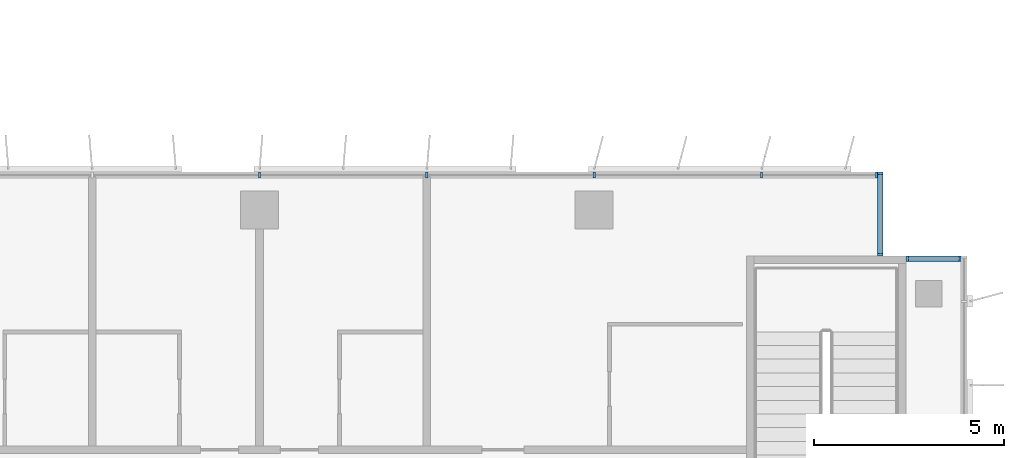
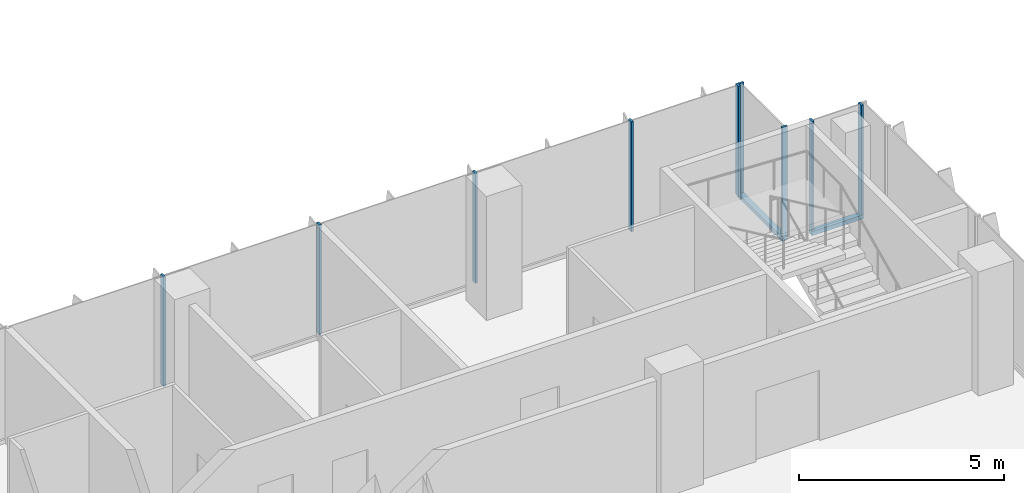
# One storey, part 4 of 21: 11 members, 3 elements without a shape of their own.
"""IFC4 building model written with IfcOpenShell, lengths in metres."""

import ifcopenshell
import ifcopenshell.guid

model = None  # the IFC model being written
_history = None  # IfcOwnerHistory: only IFC2X3 demands one
_inside = {}  # id of a spatial element -> (the spatial element, [elements in it])
_under = {}  # id of a project, library or spatial element -> (it, [spatial elements below it])
_declared = {}  # id of a project -> (the project, [libraries it declares])
_typed = {}  # id of a type object -> (the type object, [elements of that type])
_made_of = {}  # id of a material, layer set ... -> (it, [elements and type objects made of it])


def new_model(schema):
    """Start an empty IFC model of exactly this schema.

    Asked for "IFC4X3", IfcOpenShell would pick the latest addendum, in which some entities
    have other attributes; the version numbers below select the first issue.
    IFC2X3 requires an IfcOwnerHistory on every rooted entity: one is made here for all.
    """
    global model, _history
    if schema == "IFC4X3":
        model = ifcopenshell.file(schema_version=(4, 3, 0, 0))
    else:
        model = ifcopenshell.file(schema=schema)
    _inside.clear()
    _under.clear()
    _declared.clear()
    _typed.clear()
    _made_of.clear()
    _history = None
    if model.schema == "IFC2X3":
        org = make("IfcOrganization", Name="unknown")
        user = make(
            "IfcPersonAndOrganization",
            ThePerson=make("IfcPerson", FamilyName="unknown"),
            TheOrganization=org,
        )
        app = make(
            "IfcApplication",
            ApplicationDeveloper=org,
            Version="unknown",
            ApplicationFullName="unknown",
            ApplicationIdentifier="unknown",
        )
        _history = make(
            "IfcOwnerHistory",
            OwningUser=user,
            OwningApplication=app,
            ChangeAction="ADDED",
            CreationDate=0,
        )
    return model


def make(cls, **values):
    """One entity of the class cls with the attributes given. An attribute that is None is left unset."""
    return model.create_entity(
        cls, **{name: value for name, value in values.items() if value is not None}
    )


def rooted(cls, **values):
    """An entity with a GlobalId (a new one), such as an element, a storey or a relation."""
    return make(cls, GlobalId=ifcopenshell.guid.new(), OwnerHistory=_history, **values)


def si_unit(unit_type, name, prefix=None):
    """IfcSIUnit, for example si_unit("LENGTHUNIT", "METRE", prefix="MILLI")."""
    return make("IfcSIUnit", UnitType=unit_type, Prefix=prefix, Name=name)


def assignment(units):
    """IfcUnitAssignment: the units of a project."""
    return None if units is None else make("IfcUnitAssignment", Units=units)


def point(xyz):
    """IfcCartesianPoint."""
    return None if xyz is None else make("IfcCartesianPoint", Coordinates=xyz)


def direction(xyz):
    """IfcDirection."""
    return None if xyz is None else make("IfcDirection", DirectionRatios=xyz)


def frame(location, z_axis=None, x_axis=None):
    """IfcAxis2Placement3D, a coordinate frame: its origin and axes. An axis left out is left unset."""
    return make(
        "IfcAxis2Placement3D",
        Location=point(location),
        Axis=direction(z_axis),
        RefDirection=direction(x_axis),
    )


def frame_2d(location, x_axis=None):
    """IfcAxis2Placement2D, a coordinate frame in the plane: its origin and x axis."""
    return make(
        "IfcAxis2Placement2D", Location=point(location), RefDirection=direction(x_axis)
    )


def origin():
    """The frame at (0, 0, 0) with its axes left unset."""
    return frame((0.0, 0.0, 0.0))


def origin_2d():
    """The frame at (0, 0) in the plane with its x axis left unset."""
    return frame_2d((0.0, 0.0))


def place(relative_to, where):
    """IfcLocalPlacement: puts the frame where relative to a parent placement (None: the world)."""
    return make(
        "IfcLocalPlacement", PlacementRelTo=relative_to, RelativePlacement=where
    )


def context(
    kind, dimensions, precision=None, world=None, true_north=None, identifier=None
):
    """IfcGeometricRepresentationContext, for example the 3D "Model" context."""
    return make(
        "IfcGeometricRepresentationContext",
        ContextIdentifier=identifier,
        ContextType=kind,
        CoordinateSpaceDimension=dimensions,
        Precision=precision,
        WorldCoordinateSystem=world,
        TrueNorth=true_north,
    )


def subcontext(parent, identifier, kind, view, scale=None):
    """IfcGeometricRepresentationSubContext, for example "Body" below "Model"."""
    return make(
        "IfcGeometricRepresentationSubContext",
        ContextIdentifier=identifier,
        ContextType=kind,
        ParentContext=parent,
        TargetScale=scale,
        TargetView=view,
    )


def project(units=None, contexts=None):
    """IfcProject with its units and contexts."""
    return rooted(
        "IfcProject",
        Name="project",
        RepresentationContexts=contexts,
        UnitsInContext=assignment(units),
    )


def spatial(cls, under=None, at=None, **own):
    """A site, building, storey or space (cls), placed at a placement, below another one or the project."""
    s = rooted(cls, ObjectPlacement=at, **own)
    if under is not None:
        _under.setdefault(under.id(), (under, []))[1].append(s)
    return s


def profile(cls, at=None, kind="AREA", **sizes):
    """A parametric profile (cls). Its sizes go by their IFC names, for example OverallWidth=200.0."""
    return make(cls, ProfileType=kind, Position=at, **sizes)


def rectangle(**sizes):
    """IfcRectangleProfileDef."""
    return profile("IfcRectangleProfileDef", **sizes)


def extrude(swept, where, along, depth):
    """IfcExtrudedAreaSolid: the profile swept, set in the frame where, extruded along a direction by depth."""
    return make(
        "IfcExtrudedAreaSolid",
        SweptArea=swept,
        Position=where,
        ExtrudedDirection=direction(along),
        Depth=depth,
    )


def shape(context_of_items, identifier, shape_type, items):
    """IfcShapeRepresentation: the items that make up one representation, for example the "Body"."""
    return make(
        "IfcShapeRepresentation",
        ContextOfItems=context_of_items,
        RepresentationIdentifier=identifier,
        RepresentationType=shape_type,
        Items=items,
    )


def source(mapping_origin, context_of_items, identifier, shape_type, items):
    """IfcRepresentationMap: a shape defined once, which mapped items show again and again."""
    return make(
        "IfcRepresentationMap",
        MappingOrigin=mapping_origin,
        MappedRepresentation=shape(context_of_items, identifier, shape_type, items),
    )


def transform(
    local_origin,
    x_axis=None,
    y_axis=None,
    z_axis=None,
    scale=None,
    scale2=None,
    scale3=None,
    uniform=True,
):
    """IfcCartesianTransformationOperator3D, or its non-uniform kind. x_axis, y_axis, z_axis: its Axis1, 2, 3."""
    if uniform:
        return make(
            "IfcCartesianTransformationOperator3D",
            Axis1=direction(x_axis),
            Axis2=direction(y_axis),
            LocalOrigin=point(local_origin),
            Scale=scale,
            Axis3=direction(z_axis),
        )
    return make(
        "IfcCartesianTransformationOperator3DnonUniform",
        Axis1=direction(x_axis),
        Axis2=direction(y_axis),
        LocalOrigin=point(local_origin),
        Scale=scale,
        Axis3=direction(z_axis),
        Scale2=scale2,
        Scale3=scale3,
    )


def mapped(mapping_source, mapping_target):
    """IfcMappedItem: shows the shape of a source again, moved by a transform."""
    return make(
        "IfcMappedItem", MappingSource=mapping_source, MappingTarget=mapping_target
    )


def material(Name=None, Category=None):
    """IfcMaterial."""
    return make("IfcMaterial", Name=Name, Category=Category)


def material_profile(
    of_material, cross_section, Name=None, Category=None, Priority=None
):
    """IfcMaterialProfile: a cross section and its material."""
    return make(
        "IfcMaterialProfile",
        Name=Name,
        Material=of_material,
        Profile=cross_section,
        Priority=Priority,
        Category=Category,
    )


def profile_set(profiles, Name=None, composite=None):
    """IfcMaterialProfileSet."""
    return make(
        "IfcMaterialProfileSet",
        Name=Name,
        MaterialProfiles=profiles,
        CompositeProfile=composite,
    )


def made_of(thing, what):
    """Note that an element or type object is made of a material, layer set ...; save() writes the relation."""
    if what is not None:
        _made_of.setdefault(what.id(), (what, []))[1].append(thing)
    return thing


def type_object(cls, material=None, **own):
    """A type object (cls), such as IfcWallType, which elements share."""
    return made_of(rooted(cls, **own), material)


def element(
    cls,
    number,
    at=None,
    inside=None,
    cuts=None,
    type_object=None,
    material=None,
    context=None,
    identifier="Body",
    shape_type=None,
    held_by="IfcProductDefinitionShape",
    body=None,
    shapes=None,
    **own,
):
    """One element of the class cls, such as IfcWall. Its Tag is "e" and its number.

    at: its placement. inside: the storey or other place that contains it. cuts: it is an
    opening in that element (IfcRelVoidsElement). A single representation is given by context,
    identifier, shape_type and body (its items); several are given by shapes. held_by: the class
    of the entity that holds the representations. save() writes the other relations.
    """
    e = rooted(cls, Tag="e%d" % number, ObjectPlacement=at, **own)
    if body is not None:
        shapes = [shape(context, identifier, shape_type, body)]
    if shapes is not None:
        e.Representation = make(held_by, Representations=shapes)
    if inside is not None:
        _inside.setdefault(inside.id(), (inside, []))[1].append(e)
    if cuts is not None:
        rooted(
            "IfcRelVoidsElement", RelatingBuildingElement=cuts, RelatedOpeningElement=e
        )
    if type_object is not None:
        _typed.setdefault(type_object.id(), (type_object, []))[1].append(e)
    return made_of(e, material)


def aggregate(whole, parts):
    """IfcRelAggregates: a whole, such as a stair, and the parts it consists of."""
    return rooted("IfcRelAggregates", RelatingObject=whole, RelatedObjects=parts)


def save(model, path):
    """Write the relations noted so far, then the file.

    IfcRelAggregates (storeys below a building ...), IfcRelContainedInSpatialStructure (elements
    in a storey), IfcRelDefinesByType, IfcRelAssociatesMaterial and IfcRelDeclares: one each for
    every whole, place, type object, material and project.
    """
    for whole, parts in _under.values():
        aggregate(whole, parts)
    for where, things in _inside.values():
        rooted(
            "IfcRelContainedInSpatialStructure",
            RelatedElements=things,
            RelatingStructure=where,
        )
    for kind, things in _typed.values():
        rooted("IfcRelDefinesByType", RelatedObjects=things, RelatingType=kind)
    for what, things in _made_of.values():
        rooted("IfcRelAssociatesMaterial", RelatedObjects=things, RelatingMaterial=what)
    for by, libraries in _declared.values():
        rooted("IfcRelDeclares", RelatingContext=by, RelatedDefinitions=libraries)
    model.write(path)


model = new_model("IFC4")

# Units and contexts
model_context = context("Model", 3, precision=1e-05, world=origin(), true_north=direction((0.0, 1.0)))
body_context = subcontext(model_context, "Body", "Model", "MODEL_VIEW")
ifc_project = project(units=[si_unit("LENGTHUNIT", "METRE"), si_unit("AREAUNIT", "SQUARE_METRE"), si_unit("VOLUMEUNIT", "CUBIC_METRE"), si_unit("PLANEANGLEUNIT", "RADIAN"), si_unit("MASSUNIT", "GRAM", prefix="KILO")], contexts=[model_context])

# Site, building, storey
site_placement = place(None, origin())
site = spatial("IfcSite", under=ifc_project, at=site_placement, CompositionType="ELEMENT")
building_placement = place(site_placement, origin())
building = spatial("IfcBuilding", under=site, at=building_placement, Name="Kemantara Hotel Tower", CompositionType="ELEMENT")
storey_placement = place(building_placement, frame((0.0, 0.0, 182.699951171875)))
storey = spatial("IfcBuildingStorey", under=building, at=storey_placement, Name="L45", CompositionType="ELEMENT", Elevation=182.699951171875)

# Curtain wall, member
ifc_material_1 = material(Name="Low-E tinted double insulated glass 36 mm", Category="glass")
curtain_wall_type = type_object("IfcCurtainWallType", Name="TOWER CURTAIN WALL, FRONT FACES", PredefinedType="USERDEFINED", material=ifc_material_1)
curtain_wall_1_placement = place(storey_placement, origin())
curtain_wall_1 = element("IfcCurtainWall", 1, at=curtain_wall_1_placement, inside=storey, type_object=curtain_wall_type, Name="CW4 L45 T3-R12-1", ObjectType="TOWER CURTAIN WALL, FRONT FACES", PredefinedType="USERDEFINED")
ifc_material_2 = material(Name="Aluminium 6063-T6 bronze anodised", Category="aluminium")
ifc_material_profile_1 = material_profile(ifc_material_2, rectangle(XDim=0.14990234375, YDim=0.1201171875, at=origin_2d()), Name="TOWER CURTAIN WALL, FRONT FACES TRANSOM")
ifc_profile_set_1 = profile_set([ifc_material_profile_1], Name="Aluminium 6063-T6 bronze anodised")
member_type_1 = type_object("IfcMemberType", Name="TOWER CURTAIN WALL, FRONT FACES TRANSOM", PredefinedType="USERDEFINED", material=ifc_profile_set_1)
member_1_placement = place(storey_placement, frame((63.449951171875, 19.72509765625, 0.06005859375), z_axis=(-1.0, 0.0, 0.0), x_axis=(0.0, -1.0, 0.0)))
member_1 = element("IfcMember", 2, at=member_1_placement, type_object=member_type_1, Name="CW4 sill transom T3-R12-1", ObjectType="TRANSOM", PredefinedType="USERDEFINED", context=body_context, shape_type="SweptSolid", body=[
    extrude(rectangle(XDim=0.14990234375, YDim=0.1201171875, at=origin_2d()), origin(), (0.0, 0.0, 1.0), 1.449951171875),
])

curtain_wall_2_placement = place(storey_placement, origin())
curtain_wall_2 = element("IfcCurtainWall", 3, at=curtain_wall_2_placement, inside=storey, type_object=curtain_wall_type, Name="CW4 L45 T3-R13-1", ObjectType="TOWER CURTAIN WALL, FRONT FACES", PredefinedType="USERDEFINED")
member_2_placement = place(storey_placement, frame((61.324951171875, 19.800048828125, 0.06005859375), z_axis=(0.0, 1.0, 0.0), x_axis=(-1.0, 0.0, 0.0)))
member_2 = element("IfcMember", 4, at=member_2_placement, type_object=member_type_1, Name="CW4 sill transom T3-R13-1", ObjectType="TRANSOM", PredefinedType="USERDEFINED", context=body_context, shape_type="SweptSolid", body=[
    extrude(rectangle(XDim=0.14990234375, YDim=0.1201171875, at=origin_2d()), origin(), (0.0, 0.0, 1.0), 2.199951171875),
])

# Curtain wall, members
curtain_wall_3_placement = place(storey_placement, origin())
curtain_wall_3 = element("IfcCurtainWall", 5, at=curtain_wall_3_placement, inside=storey, type_object=curtain_wall_type, Name="CW4 L45 T3-R14-1", ObjectType="TOWER CURTAIN WALL, FRONT FACES", PredefinedType="USERDEFINED")
ifc_material_profile_2 = material_profile(ifc_material_2, rectangle(XDim=0.14990234375, YDim=0.06005859375, at=origin_2d()), Name="TOWER CURTAIN WALL, FRONT FACES MULLION")
ifc_profile_set_2 = profile_set([ifc_material_profile_2], Name="Aluminium 6063-T6 bronze anodised")
member_type_2 = type_object("IfcMemberType", Name="TOWER CURTAIN WALL, FRONT FACES MULLION", PredefinedType="MULLION", material=ifc_profile_set_2)
shared_shape = source(origin(), body_context, "Body", "SweptSolid", [
    extrude(rectangle(XDim=0.14990234375, YDim=0.06005859375, at=origin_2d()), origin(), (0.0, 0.0, 1.0), 3.280029296875),
])
member_3_placement = place(storey_placement, frame((61.219970703125, 21.925048828125, 0.1201171875), z_axis=(0.0, 0.0, 1.0), x_axis=(0.0, -1.0, 0.0)))
member_3 = element("IfcMember", 6, at=member_3_placement, type_object=member_type_2, Name="CW4 mullion T3-R14-1.1", PredefinedType="MULLION", context=body_context, shape_type="MappedRepresentation", body=[
    mapped(shared_shape, transform((0.0, 0.0, 0.0))),
])
member_4_placement = place(storey_placement, frame((58.199951171875, 21.925048828125, 0.1201171875), z_axis=(0.0, 0.0, 1.0), x_axis=(0.0, -1.0, 0.0)))
member_4 = element("IfcMember", 7, at=member_4_placement, type_object=member_type_2, Name="CW4 mullion T3-R14-1.2", PredefinedType="MULLION", context=body_context, shape_type="MappedRepresentation", body=[
    mapped(shared_shape, transform((0.0, 0.0, 0.0))),
])
member_5_placement = place(storey_placement, frame((53.800048828125, 21.925048828125, 0.1201171875), z_axis=(0.0, 0.0, 1.0), x_axis=(0.0, -1.0, 0.0)))
member_5 = element("IfcMember", 8, at=member_5_placement, type_object=member_type_2, Name="CW4 mullion T3-R14-1.3", PredefinedType="MULLION", context=body_context, shape_type="MappedRepresentation", body=[
    mapped(shared_shape, transform((0.0, 0.0, 0.0))),
])
member_6_placement = place(storey_placement, frame((49.39990234375, 21.925048828125, 0.1201171875), z_axis=(0.0, 0.0, 1.0), x_axis=(0.0, -1.0, 0.0)))
member_6 = element("IfcMember", 9, at=member_6_placement, type_object=member_type_2, Name="CW4 mullion T3-R14-1.4", PredefinedType="MULLION", context=body_context, shape_type="MappedRepresentation", body=[
    mapped(shared_shape, transform((0.0, 0.0, 0.0))),
])
member_7_placement = place(storey_placement, frame((45.0, 21.925048828125, 0.1201171875), z_axis=(0.0, 0.0, 1.0), x_axis=(0.0, -1.0, 0.0)))
member_7 = element("IfcMember", 10, at=member_7_placement, type_object=member_type_2, Name="CW4 mullion T3-R14-1.5", PredefinedType="MULLION", context=body_context, shape_type="MappedRepresentation", body=[
    mapped(shared_shape, transform((0.0, 0.0, 0.0))),
])
aggregate(curtain_wall_3, [member_3, member_4, member_5, member_6, member_7])

# Member
member_8_placement = place(storey_placement, frame((63.419921875, 19.72509765625, 0.1201171875), z_axis=(0.0, 0.0, 1.0), x_axis=(0.0, -1.0, 0.0)))
member_8 = element("IfcMember", 11, at=member_8_placement, type_object=member_type_2, Name="CW4 mullion T3-R12-1.1", PredefinedType="MULLION", context=body_context, shape_type="MappedRepresentation", body=[
    mapped(shared_shape, transform((0.0, 0.0, 0.0))),
])

member_9_placement = place(storey_placement, frame((62.030029296875, 19.72509765625, 0.1201171875), z_axis=(0.0, 0.0, 1.0), x_axis=(0.0, -1.0, 0.0)))
member_9 = element("IfcMember", 12, at=member_9_placement, type_object=member_type_2, Name="CW4 mullion T3-R12-1.2", PredefinedType="MULLION", context=body_context, shape_type="MappedRepresentation", body=[
    mapped(shared_shape, transform((0.0, 0.0, 0.0))),
])

aggregate(curtain_wall_1, [member_1, member_8, member_9])

member_10_placement = place(storey_placement, frame((61.324951171875, 19.830078125, 0.1201171875), z_axis=(0.0, 0.0, 1.0), x_axis=(-1.0, 0.0, 0.0)))
member_10 = element("IfcMember", 13, at=member_10_placement, type_object=member_type_2, Name="CW4 mullion T3-R13-1.1", PredefinedType="MULLION", context=body_context, shape_type="MappedRepresentation", body=[
    mapped(shared_shape, transform((0.0, 0.0, 0.0))),
])

member_11_placement = place(storey_placement, frame((61.324951171875, 21.969970703125, 0.1201171875), z_axis=(0.0, 0.0, 1.0), x_axis=(-1.0, 0.0, 0.0)))
member_11 = element("IfcMember", 14, at=member_11_placement, type_object=member_type_2, Name="CW4 mullion T3-R13-1.2", PredefinedType="MULLION", context=body_context, shape_type="MappedRepresentation", body=[
    mapped(shared_shape, transform((0.0, 0.0, 0.0))),
])

aggregate(curtain_wall_2, [member_2, member_10, member_11])

save(model, "model.ifc")
